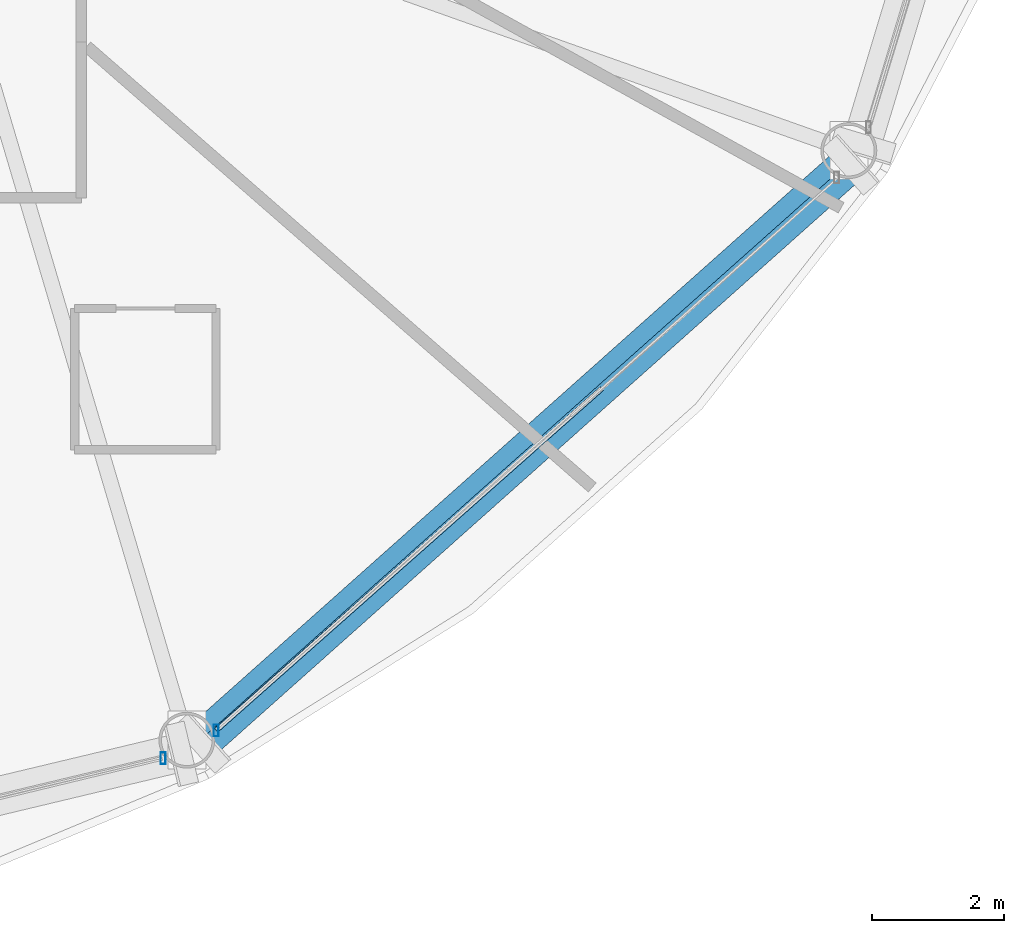
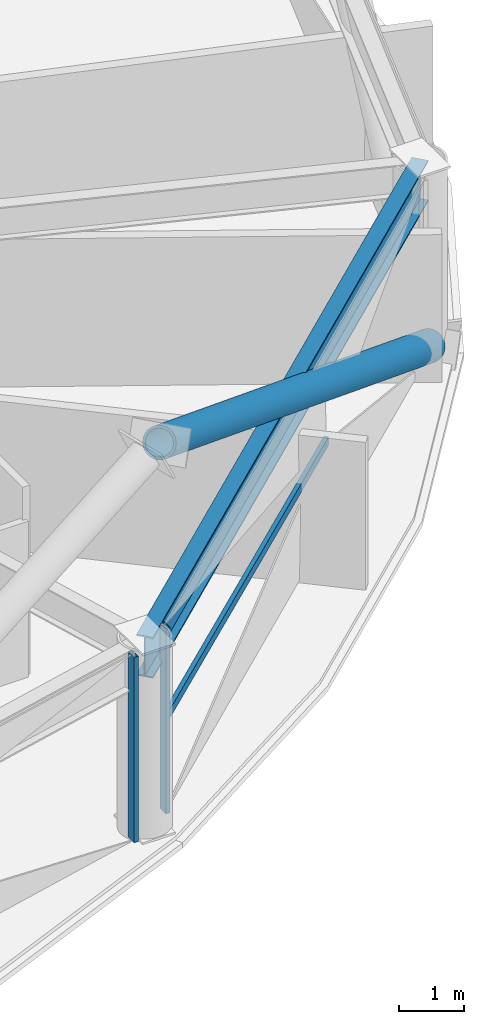
# One storey, part 8 of 30: 4 members, 1 beam, 2 elements without a shape of their own.
"""IFC4 building model written with IfcOpenShell, lengths in metres."""

from ifc_helpers import new_model, si_unit, direction, frame, origin, origin_2d, place, context, subcontext, project, spatial, hollow_rectangle, hollow_circle, i_section, extrude, material, layer, layer_set, material_profile, profile_set, type_object, element, aggregate, save


model = new_model("IFC4")

# Units and contexts
model_context = context("Model", 3, precision=1e-05, world=origin(), true_north=direction((0.0, 1.0)))
body_context = subcontext(model_context, "Body", "Model", "MODEL_VIEW")
ifc_project = project(units=[si_unit("LENGTHUNIT", "METRE"), si_unit("AREAUNIT", "SQUARE_METRE"), si_unit("VOLUMEUNIT", "CUBIC_METRE"), si_unit("PLANEANGLEUNIT", "RADIAN"), si_unit("MASSUNIT", "GRAM", prefix="KILO")], contexts=[model_context])

# Site, building, storey
site_placement = place(None, origin())
site = spatial("IfcSite", under=ifc_project, at=site_placement, CompositionType="ELEMENT")
building_placement = place(site_placement, origin())
building = spatial("IfcBuilding", under=site, at=building_placement, Name="Vantalir Tower", CompositionType="ELEMENT")
storey_placement = place(building_placement, frame((0.0, 0.0, 79.5)))
storey = spatial("IfcBuildingStorey", under=building, at=storey_placement, Name="L19", CompositionType="ELEMENT", Elevation=79.5)

# Beam
ifc_material_1 = material(Name="Steel S460", Category="steel")
ifc_material_profile_1 = material_profile(ifc_material_1, i_section(OverallWidth=0.26806640625, OverallDepth=0.77001953125, WebThickness=0.015625, FlangeThickness=0.025390625, at=origin_2d()), Name="Steel S460")
ifc_profile_set_1 = profile_set([ifc_material_profile_1], Name="Steel S460")
beam_type = type_object("IfcBeamType", Name="BM-RG-762x267", PredefinedType="USERDEFINED", material=ifc_profile_set_1)
beam_placement = place(storey_placement, frame((45.25, 3.787109375, 3.18505859375), z_axis=(0.74676942142, 0.665083025819, 0.0), x_axis=(-0.665083025819, 0.74676942142, 0.0)))
element("IfcBeam", 1, at=beam_placement, inside=storey, type_object=beam_type, Name="L19 Circumferential Ring Girder 11", ObjectType="GIRDER", PredefinedType="USERDEFINED", context=body_context, shape_type="SweptSolid", body=[
    extrude(i_section(OverallWidth=0.26806640625, OverallDepth=0.77001953125, WebThickness=0.015625, FlangeThickness=0.025390625, at=origin_2d()), origin(), (0.0, 0.0, 1.0), 13.479248046875),
])

# Curtain wall, member
ifc_material_2 = material(Name="Champagne-silver PVDF aluminium and double-silver Low-E glass", Category="aluminium")
ifc_layer = layer(ifc_material_2, 0.18994140625)
ifc_layer_set = layer_set([ifc_layer], Name="Champagne-silver PVDF aluminium and double-silver Low-E glass")
curtain_wall_type = type_object("IfcCurtainWallType", Name="CW-DIAMOND-Z1", PredefinedType="USERDEFINED", material=ifc_layer_set)
curtain_wall_1_placement = place(storey_placement, origin())
curtain_wall_1 = element("IfcCurtainWall", 2, at=curtain_wall_1_placement, inside=storey, type_object=curtain_wall_type, Name="L19 Quilted Pyramid-Diamond Curtain Wall S10", ObjectType="UNITISED CURTAIN WALL", PredefinedType="USERDEFINED")
ifc_material_3 = material(Name="Champagne-silver PVDF aluminium 6063-T6", Category="aluminium")
ifc_material_profile_2 = material_profile(ifc_material_3, hollow_rectangle(XDim=0.074951171875, YDim=0.179931640625, WallThickness=0.00390625, at=origin_2d()), Name="Champagne-silver PVDF aluminium 6063-T6")
ifc_profile_set_2 = profile_set([ifc_material_profile_2], Name="Champagne-silver PVDF aluminium 6063-T6")
member_type_1 = type_object("IfcMemberType", Name="CWM-180x75", PredefinedType="MULLION", material=ifc_profile_set_2)
member_1_placement = place(storey_placement, frame((44.887939453125, 3.512939453125, 0.044921875), z_axis=(0.0, 0.0, 1.0), x_axis=(1.0, 0.0, 0.0)))
member_1 = element("IfcMember", 3, at=member_1_placement, type_object=member_type_1, Name="CW-L19-S10 Mullion 2", PredefinedType="MULLION", context=body_context, shape_type="SweptSolid", body=[
    extrude(hollow_rectangle(XDim=0.074951171875, YDim=0.179931640625, WallThickness=0.00390625, at=origin_2d()), origin(), (0.0, 0.0, 1.0), 3.47998046875),
])
aggregate(curtain_wall_1, [member_1])

# Curtain wall, members
curtain_wall_2_placement = place(storey_placement, origin())
curtain_wall_2 = element("IfcCurtainWall", 4, at=curtain_wall_2_placement, inside=storey, type_object=curtain_wall_type, Name="L19 Quilted Pyramid-Diamond Curtain Wall S11", ObjectType="UNITISED CURTAIN WALL", PredefinedType="USERDEFINED")
member_2_placement = place(storey_placement, frame((45.696044921875, 3.93505859375, 0.044921875), z_axis=(0.0, 0.0, 1.0), x_axis=(1.0, 0.0, 0.0)))
member_2 = element("IfcMember", 5, at=member_2_placement, type_object=member_type_1, Name="CW-L19-S11 Mullion 1", PredefinedType="MULLION", context=body_context, shape_type="SweptSolid", body=[
    extrude(hollow_rectangle(XDim=0.074951171875, YDim=0.179931640625, WallThickness=0.00390625, at=origin_2d()), origin(), (0.0, 0.0, 1.0), 3.47998046875),
])
ifc_material_profile_3 = material_profile(ifc_material_3, hollow_rectangle(XDim=0.074951171875, YDim=0.159912109375, WallThickness=0.00390625, at=origin_2d()), Name="Champagne-silver PVDF aluminium 6063-T6")
ifc_profile_set_3 = profile_set([ifc_material_profile_3], Name="Champagne-silver PVDF aluminium 6063-T6")
member_type_2 = type_object("IfcMemberType", Name="CWT-160x75", PredefinedType="USERDEFINED", material=ifc_profile_set_3)
member_3_placement = place(storey_placement, frame((45.696044921875, 3.93505859375, 1.784912109375), z_axis=(0.748427393447, 0.663216734362, 0.0), x_axis=(-0.663216734362, 0.748427393447, 0.0)))
member_3 = element("IfcMember", 6, at=member_3_placement, type_object=member_type_2, Name="CW-L19-S11 Pyramid Fold Ridge Transom", ObjectType="TRANSOM", PredefinedType="USERDEFINED", context=body_context, shape_type="SweptSolid", body=[
    extrude(hollow_rectangle(XDim=0.074951171875, YDim=0.159912109375, WallThickness=0.00390625, at=origin_2d()), origin(), (0.0, 0.0, 1.0), 7.839111328125),
])
aggregate(curtain_wall_2, [member_2, member_3])

# Member
ifc_material_profile_4 = material_profile(ifc_material_1, hollow_circle(Radius=0.27001953125, WallThickness=0.044921875, at=origin_2d()), Name="Steel S460")
ifc_profile_set_4 = profile_set([ifc_material_profile_4], Name="Steel S460")
member_type_3 = type_object("IfcMemberType", Name="MEM-DB-540x45", PredefinedType="BRACE", material=ifc_profile_set_4)
member_4_placement = place(storey_placement, frame((55.3349609375, 12.528076171875, 0.18310546875), z_axis=(-0.660279834945, -0.588660144975, 0.466379430595), x_axis=(0.665464928462, -0.746429118529, 0.0)))
element("IfcMember", 7, at=member_4_placement, inside=storey, type_object=member_type_3, Name="L19 Perimeter S460 Diagrid Brace R34R", PredefinedType="BRACE", context=body_context, shape_type="SweptSolid", body=[
    extrude(hollow_circle(Radius=0.27001953125, WallThickness=0.044921875, at=origin_2d()), origin(), (0.0, 0.0, 1.0), 14.910400390625),
])

save(model, "model.ifc")
